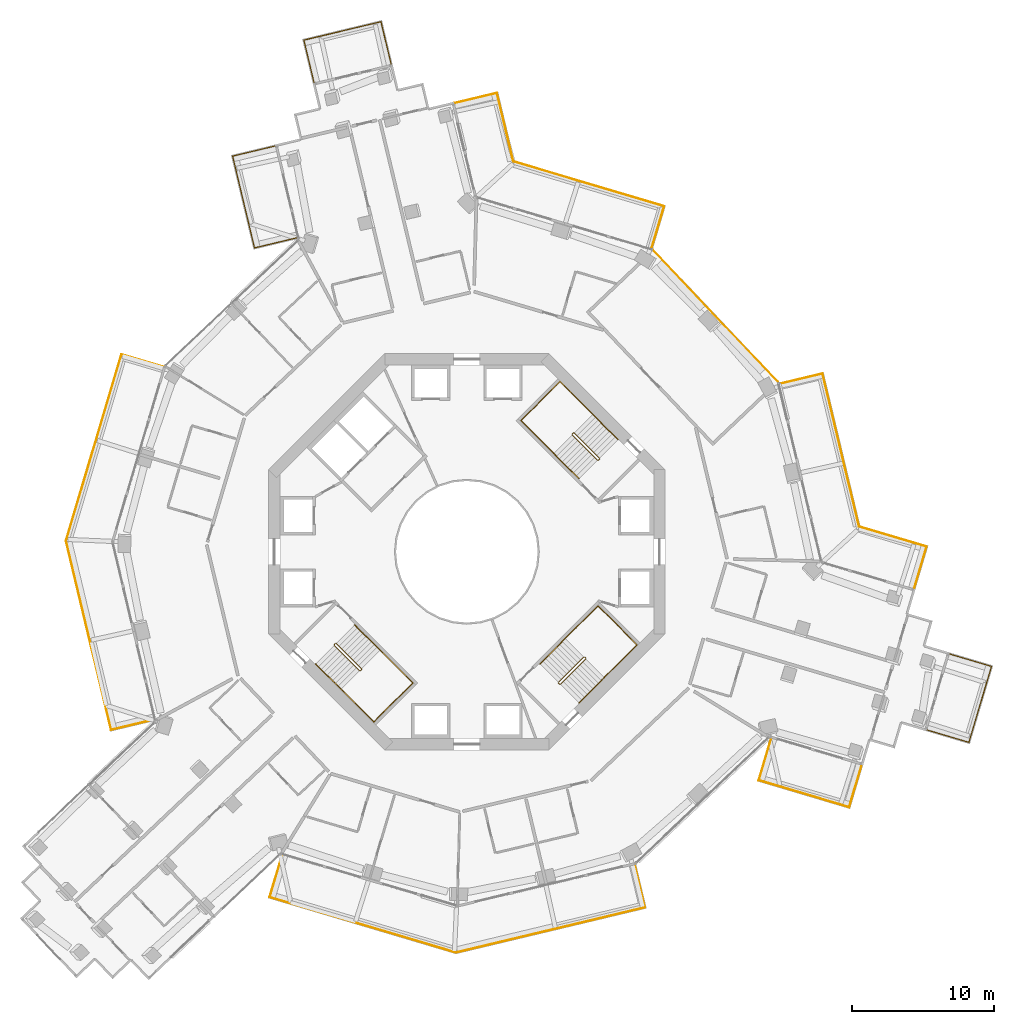
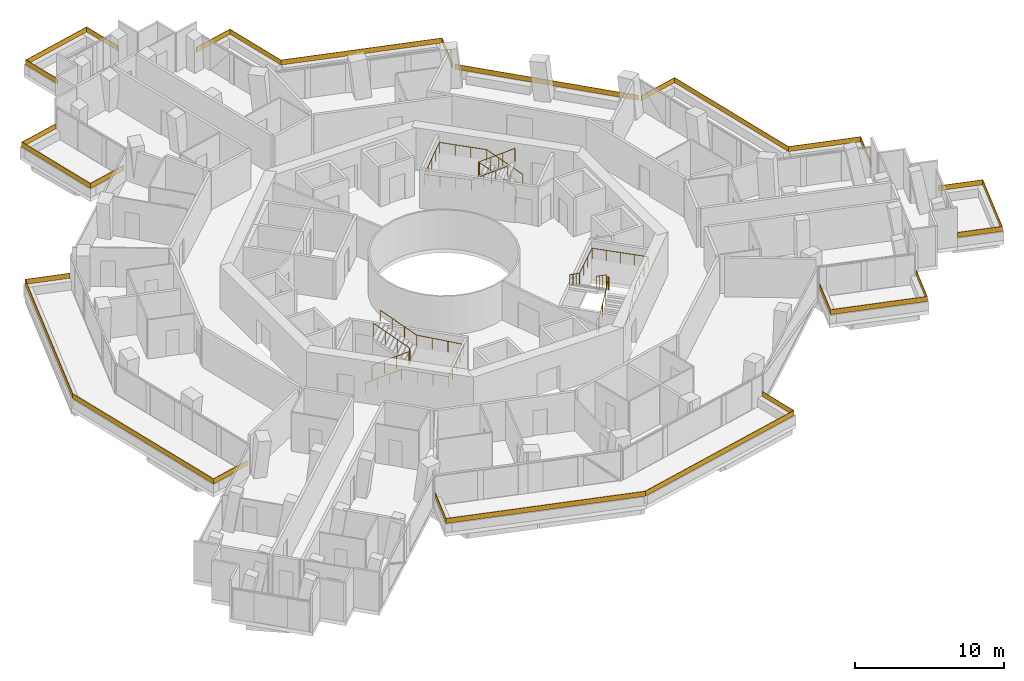
# One storey, part 27 of 27: 15 railings.
"""IFC4 building model written with IfcOpenShell, lengths in metres."""

from ifc_helpers import new_model, si_unit, direction, frame, origin, origin_2d, place, context, subcontext, project, spatial, polyline, rectangle, circle, outline, extrude, material, layer, layer_set, type_object, element, save


model = new_model("IFC4")

# Units and contexts
model_context = context("Model", 3, precision=1e-05, world=origin(), true_north=direction((0.0, 1.0)))
body_context = subcontext(model_context, "Body", "Model", "MODEL_VIEW")
ifc_project = project(units=[si_unit("LENGTHUNIT", "METRE"), si_unit("AREAUNIT", "SQUARE_METRE"), si_unit("VOLUMEUNIT", "CUBIC_METRE"), si_unit("PLANEANGLEUNIT", "RADIAN"), si_unit("MASSUNIT", "GRAM", prefix="KILO")], contexts=[model_context])

# Site, building, storey
site_placement = place(None, origin())
site = spatial("IfcSite", under=ifc_project, at=site_placement, CompositionType="ELEMENT")
building_placement = place(site_placement, origin())
building = spatial("IfcBuilding", under=site, at=building_placement, Name="Verdalira Terraces Hotel", CompositionType="ELEMENT")
storey_placement = place(building_placement, frame((0.0, 0.0, 89.5)))
storey = spatial("IfcBuildingStorey", under=building, at=storey_placement, Name="L20", CompositionType="ELEMENT", Elevation=89.5)

# Railings
ifc_material_1 = material(Name="Laminated glass", Category="glass")
ifc_layer = layer(ifc_material_1, 0.0400390625)
ifc_layer_set = layer_set([ifc_layer], Name="Balcony glass guard 400")
railing_type_1 = type_object("IfcRailingType", Name="Balcony glass guard 400", PredefinedType="GUARDRAIL", material=ifc_layer_set)
railing_1_placement = place(storey_placement, frame((0.0, 0.0, 0.699951)))
element("IfcRailing", 1, at=railing_1_placement, inside=storey, type_object=railing_type_1, Name="Balcony glass guard", PredefinedType="GUARDRAIL", context=body_context, shape_type="SweptSolid", body=[
    extrude(outline(polyline([(-6.08252, 37.414062), (-11.490234, 36.121582), (-10.774658, 33.126953), (-10.813477, 33.117676), (-11.538574, 36.151367), (-6.052979, 37.462158), (-5.328125, 34.428711), (-5.366943, 34.419434), (-6.08252, 37.414062)])), origin(), (0.0, 0.0, 1.0), 0.400146),
])
railing_2_placement = place(storey_placement, frame((0.0, 0.0, 0.699951)))
element("IfcRailing", 2, at=railing_2_placement, inside=storey, type_object=railing_type_1, Name="Balcony glass guard", PredefinedType="GUARDRAIL", context=body_context, shape_type="SweptSolid", body=[
    extrude(outline(polyline([(-16.523682, 27.92749), (-14.983887, 21.484131), (-11.989258, 22.199707), (-11.979736, 22.160889), (-15.013428, 21.435791), (-16.571777, 27.957031), (-13.53833, 28.681885), (-13.528809, 28.643066), (-16.523682, 27.92749)])), origin(), (0.0, 0.0, 1.0), 0.400146),
])
railing_3_placement = place(storey_placement, frame((0.0, 0.0, 0.699951)))
element("IfcRailing", 3, at=railing_3_placement, inside=storey, type_object=railing_type_1, Name="Balcony glass guard", PredefinedType="GUARDRAIL", context=body_context, shape_type="SweptSolid", body=[
    extrude(outline(polyline([(-24.385986, 13.907227), (-28.292236, 0.770508), (-25.106689, -12.559326), (-22.112061, -11.84375), (-22.102783, -11.882812), (-25.136475, -12.607666), (-28.33374, 0.771729), (-24.412842, 13.957031), (-21.42334, 13.068115), (-21.43457, 13.029785), (-24.385986, 13.907227)])), origin(), (0.0, 0.0, 1.0), 0.400146),
])
railing_4_placement = place(storey_placement, frame((0.0, 0.0, 0.699951)))
element("IfcRailing", 4, at=railing_4_placement, inside=storey, type_object=railing_type_1, Name="Balcony glass guard", PredefinedType="GUARDRAIL", context=body_context, shape_type="SweptSolid", body=[
    extrude(outline(polyline([(-13.907227, -24.385986), (-0.770508, -28.292236), (12.559326, -25.106689), (11.84375, -22.112061), (11.882812, -22.102783), (12.607666, -25.136475), (-0.771729, -28.33374), (-13.957031, -24.412842), (-13.068115, -21.42334), (-13.029785, -21.43457), (-13.907227, -24.385986)])), origin(), (0.0, 0.0, 1.0), 0.400146),
])
railing_5_placement = place(storey_placement, frame((0.0, 0.0, 0.699951)))
element("IfcRailing", 5, at=railing_5_placement, inside=storey, type_object=railing_type_1, Name="Balcony glass guard", PredefinedType="GUARDRAIL", context=body_context, shape_type="SweptSolid", body=[
    extrude(outline(polyline([(20.636719, -16.130859), (26.986572, -18.019043), (27.864258, -15.067871), (27.902588, -15.079346), (27.013672, -18.068848), (20.586914, -16.157959), (21.47583, -13.168213), (21.51416, -13.179688), (20.636719, -16.130859)])), origin(), (0.0, 0.0, 1.0), 0.400146),
])
railing_6_placement = place(storey_placement, frame((0.0, 0.0, 0.699951)))
element("IfcRailing", 6, at=railing_6_placement, inside=storey, type_object=railing_type_1, Name="Balcony glass guard", PredefinedType="GUARDRAIL", context=body_context, shape_type="SweptSolid", body=[
    extrude(outline(polyline([(35.442871, -13.439209), (37.027588, -8.109863), (34.076172, -7.232422), (34.087646, -7.194092), (37.077148, -8.083008), (35.469727, -13.489014), (32.47998, -12.600098), (32.491455, -12.561768), (35.442871, -13.439209)])), origin(), (0.0, 0.0, 1.0), 0.400146),
])
railing_7_placement = place(storey_placement, frame((0.0, 0.0, 0.699951)))
element("IfcRailing", 7, at=railing_7_placement, inside=storey, type_object=railing_type_1, Name="Balcony glass guard", PredefinedType="GUARDRAIL", context=body_context, shape_type="SweptSolid", body=[
    extrude(outline(polyline([(32.447754, 0.346191), (27.687012, 1.761719), (25.106689, 12.559326), (22.112061, 11.84375), (22.102783, 11.882812), (25.136475, 12.607666), (27.720703, 1.793457), (32.497314, 0.373047), (31.608398, -2.616455), (31.570068, -2.605225), (32.447754, 0.346191)])), origin(), (0.0, 0.0, 1.0), 0.400146),
])
railing_8_placement = place(storey_placement, frame((0.0, 0.0, 0.699951)))
element("IfcRailing", 8, at=railing_8_placement, inside=storey, type_object=railing_type_1, Name="Balcony glass guard", PredefinedType="GUARDRAIL", context=body_context, shape_type="SweptSolid", body=[
    extrude(outline(polyline([(13.907227, 24.385986), (3.266113, 27.550293), (2.111572, 32.380615), (-0.883057, 31.665039), (-0.892334, 31.704102), (2.141357, 32.428955), (3.299561, 27.582031), (13.957031, 24.412842), (13.068115, 21.42334), (13.029785, 21.43457), (13.907227, 24.385986)])), origin(), (0.0, 0.0, 1.0), 0.400146),
])
railing_9_placement = place(storey_placement, frame((17.577637, 16.645508, 0.699951), z_axis=(0.0, 0.0, 1.0), x_axis=(-0.687594588, 0.726094816, 0.0)))
element("IfcRailing", 9, at=railing_9_placement, inside=storey, type_object=railing_type_1, Name="Loggia glass guard", PredefinedType="GUARDRAIL", context=body_context, shape_type="SweptSolid", body=[
    extrude(rectangle(XDim=12.840088, YDim=0.040039, at=origin_2d()), origin(), (0.0, 0.0, 1.0), 0.399902),
])
ifc_material_2 = material(Name="Stainless steel", Category="steel")
railing_type_2 = type_object("IfcRailingType", Name="Stair guard 1100", PredefinedType="GUARDRAIL", material=ifc_material_2)
railing_10_placement = place(storey_placement, frame((9.369141, 6.540771, 0.0)))
element("IfcRailing", 10, at=railing_10_placement, inside=storey, type_object=railing_type_2, Name="L20 ST1 stair guard 1", PredefinedType="GUARDRAIL", context=body_context, shape_type="SweptSolid", body=[
    extrude(circle(Radius=0.023926, at=origin_2d()), frame((0.0, 0.0, 1.076172), z_axis=(-0.707106781, -0.707106781, 0.0), x_axis=(0.707106781, -0.707106781, 0.0)), (0.0, 0.0, 1.0), 0.100098),
    extrude(circle(Radius=0.023926, at=origin_2d()), frame((-0.070801, -0.070801, 1.076172), z_axis=(0.300162975, 0.599290904, 0.742127078), x_axis=(-0.894118129, 0.447831187, 0.0)), (0.0, 0.0, 1.0), 0.23584),
    extrude(circle(Radius=0.023926, at=origin_2d()), frame((0.0, 0.070557, 1.250977), z_axis=(-0.599637504, 0.599637504, 0.52997144), x_axis=(-0.707106781, -0.707106781, 0.0)), (0.0, 0.0, 1.0), 2.97168),
    extrude(circle(Radius=0.023926, at=origin_2d()), frame((-1.781982, 1.852539, 2.826172), z_axis=(-1.0, 0.0, 0.0), x_axis=(0.0, -1.0, 0.0)), (0.0, 0.0, 1.0), 0.070557),
    extrude(circle(Radius=0.023926, at=origin_2d()), frame((-1.852539, 1.852539, 2.826172), z_axis=(-0.70832698, -0.705884473, 0.0), x_axis=(0.705884473, -0.70832698, 0.0)), (0.0, 0.0, 1.0), 0.099854),
    extrude(circle(Radius=0.023926, at=origin_2d()), frame((-1.92334, 1.781982, 2.826172), z_axis=(0.0, -0.374954687, 0.92704314), x_axis=(1.0, 0.0, 0.0)), (0.0, 0.0, 1.0), 0.188721),
    extrude(circle(Radius=0.023926, at=origin_2d()), frame((-1.92334, 1.711182, 3.000977), z_axis=(0.599637504, -0.599637504, 0.52997144), x_axis=(0.707106781, 0.707106781, 0.0)), (0.0, 0.0, 1.0), 2.97168),
    extrude(circle(Radius=0.020996, at=origin_2d()), origin(), (0.0, 0.0, 1.0), 1.052002),
    extrude(circle(Radius=0.020996, at=origin_2d()), frame((-0.070801, -0.070801, 0.0)), (0.0, 0.0, 1.0), 1.052002),
    extrude(circle(Radius=0.020996, at=origin_2d()), frame((0.0, 0.070557, 0.175049)), (0.0, 0.0, 1.0), 1.052002),
    extrude(circle(Radius=0.020996, at=origin_2d()), frame((-0.593994, 0.664551, 0.699951)), (0.0, 0.0, 1.0), 1.052002),
    extrude(circle(Radius=0.020996, at=origin_2d()), frame((-1.187988, 1.258545, 1.225098)), (0.0, 0.0, 1.0), 1.052002),
    extrude(circle(Radius=0.020996, at=origin_2d()), frame((-1.781982, 1.852539, 1.75)), (0.0, 0.0, 1.0), 1.052002),
    extrude(circle(Radius=0.020996, at=origin_2d()), frame((-1.852539, 1.852539, 1.75)), (0.0, 0.0, 1.0), 1.052002),
    extrude(circle(Radius=0.020996, at=origin_2d()), frame((-1.92334, 1.781982, 1.75)), (0.0, 0.0, 1.0), 1.052002),
    extrude(circle(Radius=0.020996, at=origin_2d()), frame((-1.92334, 1.711182, 1.925049)), (0.0, 0.0, 1.0), 1.052002),
    extrude(circle(Radius=0.020996, at=origin_2d()), frame((-1.329346, 1.117188, 2.449951)), (0.0, 0.0, 1.0), 1.052002),
    extrude(circle(Radius=0.020996, at=origin_2d()), frame((-0.735352, 0.523193, 2.975098)), (0.0, 0.0, 1.0), 1.052002),
    extrude(circle(Radius=0.020996, at=origin_2d()), frame((-0.141357, -0.070801, 3.5)), (0.0, 0.0, 1.0), 1.052002),
])
railing_11_placement = place(storey_placement, frame((-9.369141, -6.540771, 0.0)))
element("IfcRailing", 11, at=railing_11_placement, inside=storey, type_object=railing_type_2, Name="L20 ST2 stair guard 1", PredefinedType="GUARDRAIL", context=body_context, shape_type="SweptSolid", body=[
    extrude(circle(Radius=0.023926, at=origin_2d()), frame((0.0, 0.0, 1.076172), z_axis=(0.707106781, 0.707106781, 0.0), x_axis=(-0.707106781, 0.707106781, 0.0)), (0.0, 0.0, 1.0), 0.100098),
    extrude(circle(Radius=0.023926, at=origin_2d()), frame((0.070801, 0.070801, 1.076172), z_axis=(-0.300162975, -0.599290904, 0.742127078), x_axis=(0.894118129, -0.447831187, 0.0)), (0.0, 0.0, 1.0), 0.23584),
    extrude(circle(Radius=0.023926, at=origin_2d()), frame((0.0, -0.070557, 1.250977), z_axis=(0.599637504, -0.599637504, 0.52997144), x_axis=(0.707106781, 0.707106781, 0.0)), (0.0, 0.0, 1.0), 2.97168),
    extrude(circle(Radius=0.023926, at=origin_2d()), frame((1.781982, -1.852539, 2.826172), z_axis=(1.0, 0.0, 0.0), x_axis=(0.0, 1.0, 0.0)), (0.0, 0.0, 1.0), 0.070557),
    extrude(circle(Radius=0.023926, at=origin_2d()), frame((1.852539, -1.852539, 2.826172), z_axis=(0.70832698, 0.705884473, 0.0), x_axis=(-0.705884473, 0.70832698, 0.0)), (0.0, 0.0, 1.0), 0.099854),
    extrude(circle(Radius=0.023926, at=origin_2d()), frame((1.92334, -1.781982, 2.826172), z_axis=(0.0, 0.374954687, 0.92704314), x_axis=(-1.0, 0.0, 0.0)), (0.0, 0.0, 1.0), 0.188721),
    extrude(circle(Radius=0.023926, at=origin_2d()), frame((1.92334, -1.711182, 3.000977), z_axis=(-0.599637504, 0.599637504, 0.52997144), x_axis=(-0.707106781, -0.707106781, 0.0)), (0.0, 0.0, 1.0), 2.97168),
    extrude(circle(Radius=0.020996, at=origin_2d()), origin(), (0.0, 0.0, 1.0), 1.052002),
    extrude(circle(Radius=0.020996, at=origin_2d()), frame((0.070801, 0.070801, 0.0)), (0.0, 0.0, 1.0), 1.052002),
    extrude(circle(Radius=0.020996, at=origin_2d()), frame((0.0, -0.070557, 0.175049)), (0.0, 0.0, 1.0), 1.052002),
    extrude(circle(Radius=0.020996, at=origin_2d()), frame((0.593994, -0.664551, 0.699951)), (0.0, 0.0, 1.0), 1.052002),
    extrude(circle(Radius=0.020996, at=origin_2d()), frame((1.187988, -1.258545, 1.225098)), (0.0, 0.0, 1.0), 1.052002),
    extrude(circle(Radius=0.020996, at=origin_2d()), frame((1.781982, -1.852539, 1.75)), (0.0, 0.0, 1.0), 1.052002),
    extrude(circle(Radius=0.020996, at=origin_2d()), frame((1.852539, -1.852539, 1.75)), (0.0, 0.0, 1.0), 1.052002),
    extrude(circle(Radius=0.020996, at=origin_2d()), frame((1.92334, -1.781982, 1.75)), (0.0, 0.0, 1.0), 1.052002),
    extrude(circle(Radius=0.020996, at=origin_2d()), frame((1.92334, -1.711182, 1.925049)), (0.0, 0.0, 1.0), 1.052002),
    extrude(circle(Radius=0.020996, at=origin_2d()), frame((1.329346, -1.117188, 2.449951)), (0.0, 0.0, 1.0), 1.052002),
    extrude(circle(Radius=0.020996, at=origin_2d()), frame((0.735352, -0.523193, 2.975098)), (0.0, 0.0, 1.0), 1.052002),
    extrude(circle(Radius=0.020996, at=origin_2d()), frame((0.141357, 0.070801, 3.5)), (0.0, 0.0, 1.0), 1.052002),
])
railing_12_placement = place(storey_placement, frame((6.540771, -9.369141, 0.0)))
element("IfcRailing", 12, at=railing_12_placement, inside=storey, type_object=railing_type_2, Name="L20 ST3 stair guard 1", PredefinedType="GUARDRAIL", context=body_context, shape_type="SweptSolid", body=[
    extrude(circle(Radius=0.023926, at=origin_2d()), frame((0.0, 0.0, 1.076172), z_axis=(-0.707106781, 0.707106781, 0.0), x_axis=(-0.707106781, -0.707106781, 0.0)), (0.0, 0.0, 1.0), 0.100098),
    extrude(circle(Radius=0.023926, at=origin_2d()), frame((-0.070801, 0.070801, 1.076172), z_axis=(0.599290904, -0.300162975, 0.742127078), x_axis=(0.447831187, 0.894118129, 0.0)), (0.0, 0.0, 1.0), 0.23584),
    extrude(circle(Radius=0.023926, at=origin_2d()), frame((0.070557, 0.0, 1.250977), z_axis=(0.599637504, 0.599637504, 0.52997144), x_axis=(-0.707106781, 0.707106781, 0.0)), (0.0, 0.0, 1.0), 2.97168),
    extrude(circle(Radius=0.023926, at=origin_2d()), frame((1.852539, 1.781982, 2.826172), z_axis=(0.0, 1.0, 0.0), x_axis=(-1.0, 0.0, 0.0)), (0.0, 0.0, 1.0), 0.070557),
    extrude(circle(Radius=0.023926, at=origin_2d()), frame((1.852539, 1.852539, 2.826172), z_axis=(-0.705884473, 0.70832698, 0.0), x_axis=(-0.70832698, -0.705884473, 0.0)), (0.0, 0.0, 1.0), 0.099854),
    extrude(circle(Radius=0.023926, at=origin_2d()), frame((1.781982, 1.92334, 2.826172), z_axis=(-0.374954687, 0.0, 0.92704314), x_axis=(0.0, -1.0, 0.0)), (0.0, 0.0, 1.0), 0.188721),
    extrude(circle(Radius=0.023926, at=origin_2d()), frame((1.711182, 1.92334, 3.000977), z_axis=(-0.599637504, -0.599637504, 0.52997144), x_axis=(0.707106781, -0.707106781, 0.0)), (0.0, 0.0, 1.0), 2.97168),
    extrude(circle(Radius=0.020996, at=origin_2d()), origin(), (0.0, 0.0, 1.0), 1.052002),
    extrude(circle(Radius=0.020996, at=origin_2d()), frame((-0.070801, 0.070801, 0.0)), (0.0, 0.0, 1.0), 1.052002),
    extrude(circle(Radius=0.020996, at=origin_2d()), frame((0.070557, 0.0, 0.175049)), (0.0, 0.0, 1.0), 1.052002),
    extrude(circle(Radius=0.020996, at=origin_2d()), frame((0.664551, 0.593994, 0.699951)), (0.0, 0.0, 1.0), 1.052002),
    extrude(circle(Radius=0.020996, at=origin_2d()), frame((1.258545, 1.187988, 1.225098)), (0.0, 0.0, 1.0), 1.052002),
    extrude(circle(Radius=0.020996, at=origin_2d()), frame((1.852539, 1.781982, 1.75)), (0.0, 0.0, 1.0), 1.052002),
    extrude(circle(Radius=0.020996, at=origin_2d()), frame((1.852539, 1.852539, 1.75)), (0.0, 0.0, 1.0), 1.052002),
    extrude(circle(Radius=0.020996, at=origin_2d()), frame((1.781982, 1.92334, 1.75)), (0.0, 0.0, 1.0), 1.052002),
    extrude(circle(Radius=0.020996, at=origin_2d()), frame((1.711182, 1.92334, 1.925049)), (0.0, 0.0, 1.0), 1.052002),
    extrude(circle(Radius=0.020996, at=origin_2d()), frame((1.117188, 1.329346, 2.449951)), (0.0, 0.0, 1.0), 1.052002),
    extrude(circle(Radius=0.020996, at=origin_2d()), frame((0.523193, 0.735352, 2.975098)), (0.0, 0.0, 1.0), 1.052002),
    extrude(circle(Radius=0.020996, at=origin_2d()), frame((-0.070801, 0.141357, 3.5)), (0.0, 0.0, 1.0), 1.052002),
])
ifc_material_3 = material(Name="Stainless steel", Category="steel")
railing_type_3 = type_object("IfcRailingType", Name="Stair handrail 900", PredefinedType="HANDRAIL", material=ifc_material_3)
railing_13_placement = place(storey_placement, frame((10.677246, 7.919678, 0.175049)))
element("IfcRailing", 13, at=railing_13_placement, inside=storey, type_object=railing_type_3, Name="L20 ST1 stair handrail 1", PredefinedType="HANDRAIL", context=body_context, shape_type="SweptSolid", body=[
    extrude(circle(Radius=0.023926, at=origin_2d()), frame((0.0, 0.0, 0.875977), z_axis=(-0.599614426, 0.599614426, 0.530023659), x_axis=(-0.707106781, -0.707106781, 0.0)), (0.0, 0.0, 1.0), 2.971436),
    extrude(circle(Radius=0.023926, at=origin_2d()), frame((-1.781738, 1.781738, 2.450684), z_axis=(-0.707106781, 0.707106781, 0.0), x_axis=(-0.707106781, -0.707106781, 0.0)), (0.0, 0.0, 1.0), 3.280029),
    extrude(circle(Radius=0.023926, at=origin_2d()), frame((-4.101074, 4.101074, 2.450684), z_axis=(-0.707138081, -0.70707548, 0.0), x_axis=(0.70707548, -0.707138081, 0.0)), (0.0, 0.0, 1.0), 3.899902),
    extrude(circle(Radius=0.023926, at=origin_2d()), frame((-6.858887, 1.343506, 2.450684), z_axis=(0.706101958, -0.706101958, 0.053292116), x_axis=(0.707106781, 0.707106781, 0.0)), (0.0, 0.0, 1.0), 3.284668),
    extrude(circle(Radius=0.023926, at=origin_2d()), frame((-4.539551, -0.97583, 2.625977), z_axis=(0.599637504, -0.599637504, 0.52997144), x_axis=(0.707106781, 0.707106781, 0.0)), (0.0, 0.0, 1.0), 2.97168),
    extrude(circle(Radius=0.020996, at=origin_2d()), origin(), (0.0, 0.0, 1.0), 0.851807),
    extrude(circle(Radius=0.020996, at=origin_2d()), frame((-0.593994, 0.593994, 0.524902)), (0.0, 0.0, 1.0), 0.851807),
    extrude(circle(Radius=0.020996, at=origin_2d()), frame((-1.187744, 1.187744, 1.050049)), (0.0, 0.0, 1.0), 0.851807),
    extrude(circle(Radius=0.020996, at=origin_2d()), frame((-1.781738, 1.781738, 1.574951)), (0.0, 0.0, 1.0), 0.851807),
    extrude(circle(Radius=0.020996, at=origin_2d()), frame((-2.554932, 2.554932, 1.574951)), (0.0, 0.0, 1.0), 0.851807),
    extrude(circle(Radius=0.020996, at=origin_2d()), frame((-3.327881, 3.327881, 1.574951)), (0.0, 0.0, 1.0), 0.851807),
    extrude(circle(Radius=0.020996, at=origin_2d()), frame((-4.101074, 4.101074, 1.574951)), (0.0, 0.0, 1.0), 0.851807),
    extrude(circle(Radius=0.020996, at=origin_2d()), frame((-4.790527, 3.411621, 1.574951)), (0.0, 0.0, 1.0), 0.851807),
    extrude(circle(Radius=0.020996, at=origin_2d()), frame((-5.47998, 2.722168, 1.574951)), (0.0, 0.0, 1.0), 0.851807),
    extrude(circle(Radius=0.020996, at=origin_2d()), frame((-6.169434, 2.032959, 1.574951)), (0.0, 0.0, 1.0), 0.851807),
    extrude(circle(Radius=0.020996, at=origin_2d()), frame((-6.858887, 1.343506, 1.574951)), (0.0, 0.0, 1.0), 0.851807),
    extrude(circle(Radius=0.020996, at=origin_2d()), frame((-6.085693, 0.570312, 1.633301)), (0.0, 0.0, 1.0), 0.851807),
    extrude(circle(Radius=0.020996, at=origin_2d()), frame((-5.312744, -0.202637, 1.69165)), (0.0, 0.0, 1.0), 0.851807),
    extrude(circle(Radius=0.020996, at=origin_2d()), frame((-4.539551, -0.97583, 1.75)), (0.0, 0.0, 1.0), 0.851807),
    extrude(circle(Radius=0.020996, at=origin_2d()), frame((-3.945557, -1.569824, 2.274902)), (0.0, 0.0, 1.0), 0.851807),
    extrude(circle(Radius=0.020996, at=origin_2d()), frame((-3.351562, -2.163818, 2.800049)), (0.0, 0.0, 1.0), 0.851807),
    extrude(circle(Radius=0.020996, at=origin_2d()), frame((-2.757568, -2.757812, 3.324951)), (0.0, 0.0, 1.0), 0.851807),
])
railing_14_placement = place(storey_placement, frame((-10.677246, -7.919678, 0.175049)))
element("IfcRailing", 14, at=railing_14_placement, inside=storey, type_object=railing_type_3, Name="L20 ST2 stair handrail 1", PredefinedType="HANDRAIL", context=body_context, shape_type="SweptSolid", body=[
    extrude(circle(Radius=0.023926, at=origin_2d()), frame((0.0, 0.0, 0.875977), z_axis=(0.599614426, -0.599614426, 0.530023659), x_axis=(0.707106781, 0.707106781, 0.0)), (0.0, 0.0, 1.0), 2.971436),
    extrude(circle(Radius=0.023926, at=origin_2d()), frame((1.781738, -1.781738, 2.450684), z_axis=(0.707106781, -0.707106781, 0.0), x_axis=(0.707106781, 0.707106781, 0.0)), (0.0, 0.0, 1.0), 3.280029),
    extrude(circle(Radius=0.023926, at=origin_2d()), frame((4.101074, -4.101074, 2.450684), z_axis=(0.707138081, 0.70707548, 0.0), x_axis=(-0.70707548, 0.707138081, 0.0)), (0.0, 0.0, 1.0), 3.899902),
    extrude(circle(Radius=0.023926, at=origin_2d()), frame((6.858887, -1.343506, 2.450684), z_axis=(-0.706101958, 0.706101958, 0.053292116), x_axis=(-0.707106781, -0.707106781, 0.0)), (0.0, 0.0, 1.0), 3.284668),
    extrude(circle(Radius=0.023926, at=origin_2d()), frame((4.539551, 0.97583, 2.625977), z_axis=(-0.599637504, 0.599637504, 0.52997144), x_axis=(-0.707106781, -0.707106781, 0.0)), (0.0, 0.0, 1.0), 2.97168),
    extrude(circle(Radius=0.020996, at=origin_2d()), origin(), (0.0, 0.0, 1.0), 0.851807),
    extrude(circle(Radius=0.020996, at=origin_2d()), frame((0.593994, -0.593994, 0.524902)), (0.0, 0.0, 1.0), 0.851807),
    extrude(circle(Radius=0.020996, at=origin_2d()), frame((1.187744, -1.187744, 1.050049)), (0.0, 0.0, 1.0), 0.851807),
    extrude(circle(Radius=0.020996, at=origin_2d()), frame((1.781738, -1.781738, 1.574951)), (0.0, 0.0, 1.0), 0.851807),
    extrude(circle(Radius=0.020996, at=origin_2d()), frame((2.554932, -2.554932, 1.574951)), (0.0, 0.0, 1.0), 0.851807),
    extrude(circle(Radius=0.020996, at=origin_2d()), frame((3.327881, -3.327881, 1.574951)), (0.0, 0.0, 1.0), 0.851807),
    extrude(circle(Radius=0.020996, at=origin_2d()), frame((4.101074, -4.101074, 1.574951)), (0.0, 0.0, 1.0), 0.851807),
    extrude(circle(Radius=0.020996, at=origin_2d()), frame((4.790527, -3.411621, 1.574951)), (0.0, 0.0, 1.0), 0.851807),
    extrude(circle(Radius=0.020996, at=origin_2d()), frame((5.47998, -2.722168, 1.574951)), (0.0, 0.0, 1.0), 0.851807),
    extrude(circle(Radius=0.020996, at=origin_2d()), frame((6.169434, -2.032959, 1.574951)), (0.0, 0.0, 1.0), 0.851807),
    extrude(circle(Radius=0.020996, at=origin_2d()), frame((6.858887, -1.343506, 1.574951)), (0.0, 0.0, 1.0), 0.851807),
    extrude(circle(Radius=0.020996, at=origin_2d()), frame((6.085693, -0.570312, 1.633301)), (0.0, 0.0, 1.0), 0.851807),
    extrude(circle(Radius=0.020996, at=origin_2d()), frame((5.312744, 0.202637, 1.69165)), (0.0, 0.0, 1.0), 0.851807),
    extrude(circle(Radius=0.020996, at=origin_2d()), frame((4.539551, 0.97583, 1.75)), (0.0, 0.0, 1.0), 0.851807),
    extrude(circle(Radius=0.020996, at=origin_2d()), frame((3.945557, 1.569824, 2.274902)), (0.0, 0.0, 1.0), 0.851807),
    extrude(circle(Radius=0.020996, at=origin_2d()), frame((3.351562, 2.163818, 2.800049)), (0.0, 0.0, 1.0), 0.851807),
    extrude(circle(Radius=0.020996, at=origin_2d()), frame((2.757568, 2.757812, 3.324951)), (0.0, 0.0, 1.0), 0.851807),
])
railing_15_placement = place(storey_placement, frame((7.919678, -10.677246, 0.175049)))
element("IfcRailing", 15, at=railing_15_placement, inside=storey, type_object=railing_type_3, Name="L20 ST3 stair handrail 1", PredefinedType="HANDRAIL", context=body_context, shape_type="SweptSolid", body=[
    extrude(circle(Radius=0.023926, at=origin_2d()), frame((0.0, 0.0, 0.875977), z_axis=(0.599614426, 0.599614426, 0.530023659), x_axis=(-0.707106781, 0.707106781, 0.0)), (0.0, 0.0, 1.0), 2.971436),
    extrude(circle(Radius=0.023926, at=origin_2d()), frame((1.781738, 1.781738, 2.450684), z_axis=(0.707106781, 0.707106781, 0.0), x_axis=(-0.707106781, 0.707106781, 0.0)), (0.0, 0.0, 1.0), 3.280029),
    extrude(circle(Radius=0.023926, at=origin_2d()), frame((4.101074, 4.101074, 2.450684), z_axis=(-0.70707548, 0.707138081, 0.0), x_axis=(-0.707138081, -0.70707548, 0.0)), (0.0, 0.0, 1.0), 3.899902),
    extrude(circle(Radius=0.023926, at=origin_2d()), frame((1.343506, 6.858887, 2.450684), z_axis=(-0.706101958, -0.706101958, 0.053292116), x_axis=(0.707106781, -0.707106781, 0.0)), (0.0, 0.0, 1.0), 3.284668),
    extrude(circle(Radius=0.023926, at=origin_2d()), frame((-0.97583, 4.539551, 2.625977), z_axis=(-0.599637504, -0.599637504, 0.52997144), x_axis=(0.707106781, -0.707106781, 0.0)), (0.0, 0.0, 1.0), 2.97168),
    extrude(circle(Radius=0.020996, at=origin_2d()), origin(), (0.0, 0.0, 1.0), 0.851807),
    extrude(circle(Radius=0.020996, at=origin_2d()), frame((0.593994, 0.593994, 0.524902)), (0.0, 0.0, 1.0), 0.851807),
    extrude(circle(Radius=0.020996, at=origin_2d()), frame((1.187744, 1.187744, 1.050049)), (0.0, 0.0, 1.0), 0.851807),
    extrude(circle(Radius=0.020996, at=origin_2d()), frame((1.781738, 1.781738, 1.574951)), (0.0, 0.0, 1.0), 0.851807),
    extrude(circle(Radius=0.020996, at=origin_2d()), frame((2.554932, 2.554932, 1.574951)), (0.0, 0.0, 1.0), 0.851807),
    extrude(circle(Radius=0.020996, at=origin_2d()), frame((3.327881, 3.327881, 1.574951)), (0.0, 0.0, 1.0), 0.851807),
    extrude(circle(Radius=0.020996, at=origin_2d()), frame((4.101074, 4.101074, 1.574951)), (0.0, 0.0, 1.0), 0.851807),
    extrude(circle(Radius=0.020996, at=origin_2d()), frame((3.411621, 4.790527, 1.574951)), (0.0, 0.0, 1.0), 0.851807),
    extrude(circle(Radius=0.020996, at=origin_2d()), frame((2.722168, 5.47998, 1.574951)), (0.0, 0.0, 1.0), 0.851807),
    extrude(circle(Radius=0.020996, at=origin_2d()), frame((2.032959, 6.169434, 1.574951)), (0.0, 0.0, 1.0), 0.851807),
    extrude(circle(Radius=0.020996, at=origin_2d()), frame((1.343506, 6.858887, 1.574951)), (0.0, 0.0, 1.0), 0.851807),
    extrude(circle(Radius=0.020996, at=origin_2d()), frame((0.570312, 6.085693, 1.633301)), (0.0, 0.0, 1.0), 0.851807),
    extrude(circle(Radius=0.020996, at=origin_2d()), frame((-0.202637, 5.312744, 1.69165)), (0.0, 0.0, 1.0), 0.851807),
    extrude(circle(Radius=0.020996, at=origin_2d()), frame((-0.97583, 4.539551, 1.75)), (0.0, 0.0, 1.0), 0.851807),
    extrude(circle(Radius=0.020996, at=origin_2d()), frame((-1.569824, 3.945557, 2.274902)), (0.0, 0.0, 1.0), 0.851807),
    extrude(circle(Radius=0.020996, at=origin_2d()), frame((-2.163818, 3.351562, 2.800049)), (0.0, 0.0, 1.0), 0.851807),
    extrude(circle(Radius=0.020996, at=origin_2d()), frame((-2.757812, 2.757568, 3.324951)), (0.0, 0.0, 1.0), 0.851807),
])

save(model, "model.ifc")
